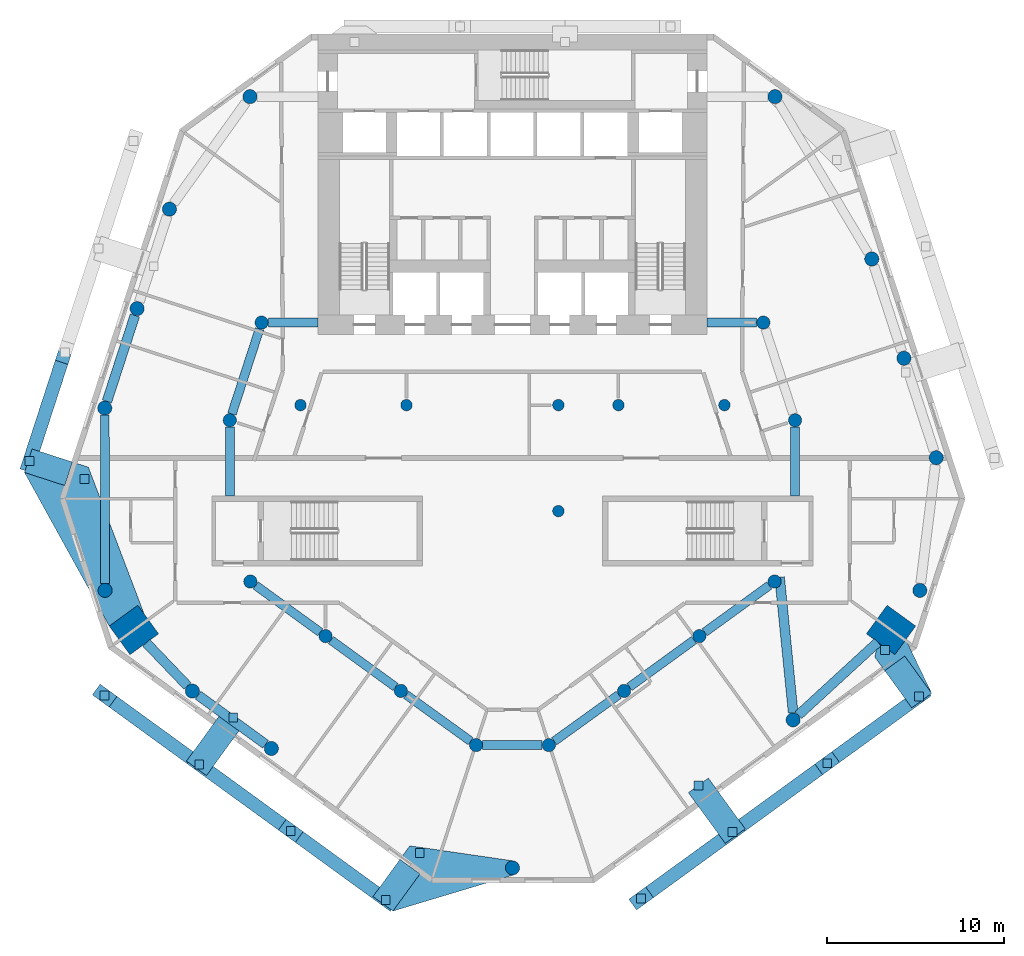
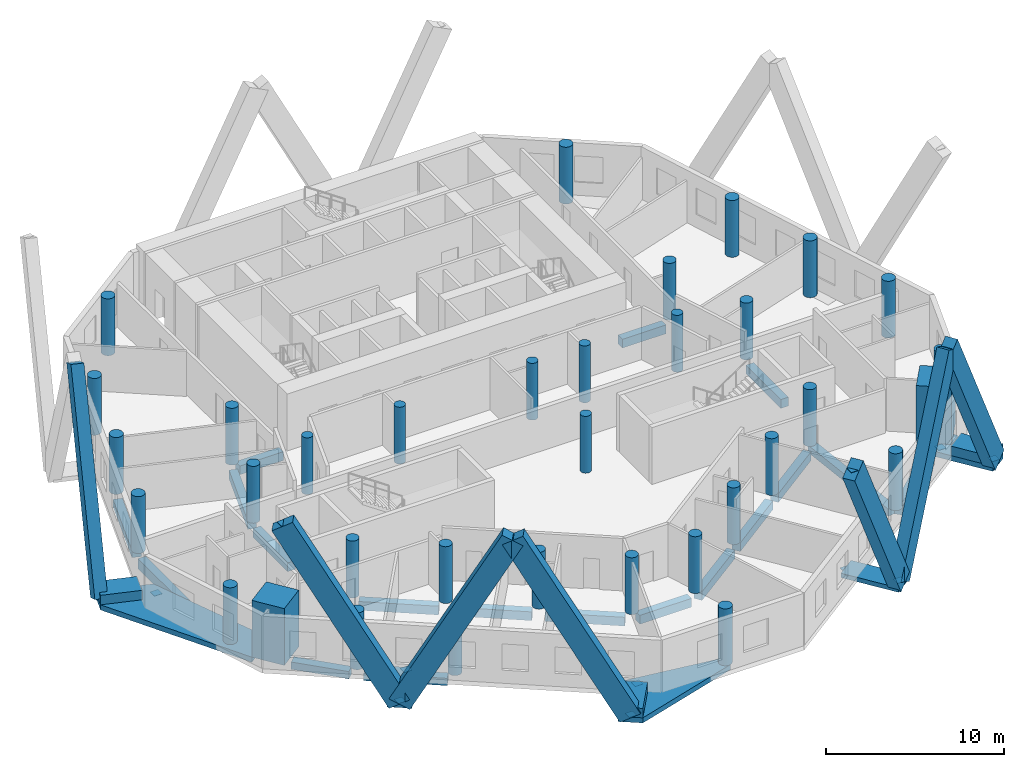
# One storey, part 1 of 10: 34 columns, 18 beams, 15 members, 14 discrete accessories.
"""IFC4 building model written with IfcOpenShell, lengths in metres."""

from ifc_helpers import new_model, si_unit, direction, frame, origin, origin_2d, place, context, subcontext, project, spatial, polyline, rectangle, circle, outline, extrude, material, layer, layer_set, material_profile, profile_set, type_object, element, aggregate, save


model = new_model("IFC4")

# Units and contexts
model_context = context("Model", 3, precision=1e-05, world=origin(), true_north=direction((0.0, 1.0)))
body_context = subcontext(model_context, "Body", "Model", "MODEL_VIEW")
ifc_project = project(units=[si_unit("LENGTHUNIT", "METRE"), si_unit("AREAUNIT", "SQUARE_METRE"), si_unit("VOLUMEUNIT", "CUBIC_METRE"), si_unit("PLANEANGLEUNIT", "RADIAN"), si_unit("MASSUNIT", "GRAM", prefix="KILO")], contexts=[model_context])

# Site, building, storey
site_placement = place(None, origin())
site = spatial("IfcSite", under=ifc_project, at=site_placement, CompositionType="ELEMENT")
building_placement = place(site_placement, origin())
building = spatial("IfcBuilding", under=site, at=building_placement, Name="White Candle Pilgrim Tower", CompositionType="ELEMENT")
storey_placement = place(building_placement, frame((0.0, 0.0, 125.89990234375)))
storey = spatial("IfcBuildingStorey", under=building, at=storey_placement, Name="L28", CompositionType="ELEMENT", Elevation=125.89990234375)

# Columns
ifc_material_1 = material(Name="Concrete C80/95", Category="concrete")
ifc_material_profile_1 = material_profile(ifc_material_1, circle(Radius=0.324951171875, at=origin_2d()), Name="RC-COL D650")
ifc_profile_set_1 = profile_set([ifc_material_profile_1], Name="Concrete C80/95")
column_type_1 = type_object("IfcColumnType", Name="Interior column RC-COL D650 C80/95", PredefinedType="COLUMN", material=ifc_profile_set_1)
for number, where, z_axis, x_axis, name in (
    (1, (58.0, 67.0, 0.0), (0.0, 0.0, 1.0), (1.0, 0.0, 0.0), "L28 column I01"),
    (2, (64.0, 67.0, 0.0), (0.0, 0.0, 1.0), (1.0, 0.0, 0.0), "L28 column I02"),
    (3, (72.60009765625, 61.0, 0.0), (0.0, 0.0, 1.0), (1.0, 0.0, 0.0), "L28 column I03"),
    (4, (72.60009765625, 67.0, 0.0), (0.0, 0.0, 1.0), (1.0, 0.0, 0.0), "L28 column I04"),
    (5, (76.0, 67.0, 0.0), (0.0, 0.0, 1.0), (1.0, 0.0, 0.0), "L28 column I05"),
    (6, (82.0, 67.0, 0.0), (0.0, 0.0, 1.0), (1.0, 0.0, 0.0), "L28 column I06"),
):
    element("IfcColumn", number, at=place(storey_placement, frame(where, z_axis=z_axis, x_axis=x_axis)), inside=storey, type_object=column_type_1, Name=name, PredefinedType="COLUMN", context=body_context, shape_type="SweptSolid", body=[
        extrude(circle(Radius=0.324951171875, at=origin_2d()), origin(), (0.0, 0.0, 1.0), 3.900146484375),
    ])
ifc_material_profile_2 = material_profile(ifc_material_1, rectangle(XDim=2.0, YDim=2.0, at=origin_2d()), Name="RC 2000x2000")
ifc_profile_set_2 = profile_set([ifc_material_profile_2], Name="Concrete C80/95")
column_type_2 = type_object("IfcColumnType", Name="Mega column RC 2000x2000 C80/95", PredefinedType="COLUMN", material=ifc_profile_set_2)
for number, where, z_axis, x_axis, name in (
    (7, (48.570068359375, 54.27001953125, 0.0), (0.0, 0.0, 1.0), (-0.809016994375, -0.587785252292, 0.0), "L28 mega column T02"),
    (8, (91.429931640625, 54.27001953125, 0.0), (0.0, 0.0, 1.0), (0.809016994375, -0.587785252292, 0.0), "L28 mega column T07"),
):
    element("IfcColumn", number, at=place(storey_placement, frame(where, z_axis=z_axis, x_axis=x_axis)), inside=storey, type_object=column_type_2, Name=name, PredefinedType="COLUMN", context=body_context, shape_type="SweptSolid", body=[
        extrude(rectangle(XDim=2.0, YDim=2.0, at=origin_2d()), origin(), (0.0, 0.0, 1.0), 3.900146484375),
    ])
ifc_material_profile_3 = material_profile(ifc_material_1, circle(Radius=0.39990234375, at=origin_2d()), Name="RC-COL D800")
ifc_profile_set_3 = profile_set([ifc_material_profile_3], Name="Concrete C80/95")
column_type_3 = type_object("IfcColumnType", Name="Perimeter column RC-COL D800 C80/95", PredefinedType="COLUMN", material=ifc_profile_set_3)
for number, where, z_axis, x_axis, name in (
    (9, (46.93994140625, 56.510009765625, 0.0), (0.0, 0.0, 1.0), (1.0, 0.0, 0.0), "L28 column T01"),
    (10, (51.8798828125, 50.81005859375, 0.0), (0.0, 0.0, 1.0), (1.0, 0.0, 0.0), "L28 column T03"),
    (11, (56.35009765625, 47.56005859375, 0.0), (0.0, 0.0, 1.0), (1.0, 0.0, 0.0), "L28 column T04"),
    (12, (70.0, 40.800048828125, 0.0), (0.0, 0.0, 1.0), (1.0, 0.0, 0.0), "L28 column T05"),
    (13, (85.889892578125, 49.179931640625, 0.0), (0.0, 0.0, 1.0), (1.0, 0.0, 0.0), "L28 column T06"),
    (14, (93.06005859375, 56.510009765625, 0.0), (0.0, 0.0, 1.0), (1.0, 0.0, 0.0), "L28 column T08"),
    (15, (93.989990234375, 64.02001953125, 0.0), (0.0, 0.0, 1.0), (1.0, 0.0, 0.0), "L28 column T09"),
    (16, (92.159912109375, 69.64990234375, 0.0), (0.0, 0.0, 1.0), (1.0, 0.0, 0.0), "L28 column T10"),
    (17, (90.340087890625, 75.27001953125, 0.0), (0.0, 0.0, 1.0), (1.0, 0.0, 0.0), "L28 column T11"),
    (18, (84.860107421875, 84.4599609375, 0.0), (0.0, 0.0, 1.0), (1.0, 0.0, 0.0), "L28 column T12"),
    (19, (55.139892578125, 84.4599609375, 0.0), (0.0, 0.0, 1.0), (1.0, 0.0, 0.0), "L28 column T13"),
    (20, (50.580078125, 78.090087890625, 0.0), (0.0, 0.0, 1.0), (1.0, 0.0, 0.0), "L28 column T14"),
    (21, (48.75, 72.4599609375, 0.0), (0.0, 0.0, 1.0), (1.0, 0.0, 0.0), "L28 column T15"),
    (22, (46.919921875, 66.830078125, 0.0), (0.0, 0.0, 1.0), (1.0, 0.0, 0.0), "L28 column T16"),
):
    element("IfcColumn", number, at=place(storey_placement, frame(where, z_axis=z_axis, x_axis=x_axis)), inside=storey, type_object=column_type_3, Name=name, PredefinedType="COLUMN", context=body_context, shape_type="SweptSolid", body=[
        extrude(circle(Radius=0.39990234375, at=origin_2d()), origin(), (0.0, 0.0, 1.0), 3.900146484375),
    ])
ifc_material_profile_4 = material_profile(ifc_material_1, circle(Radius=0.375, at=origin_2d()), Name="RC-COL D750")
ifc_profile_set_4 = profile_set([ifc_material_profile_4], Name="Concrete C80/95")
column_type_4 = type_object("IfcColumnType", Name="Ring column RC-COL D750 C80/95", PredefinedType="COLUMN", material=ifc_profile_set_4)
for number, where, z_axis, x_axis, name in (
    (23, (55.159912109375, 57.010009765625, 0.0), (0.0, 0.0, 1.0), (1.0, 0.0, 0.0), "L28 column R01"),
    (24, (59.419921875, 53.919921875, 0.0), (0.0, 0.0, 1.0), (1.0, 0.0, 0.0), "L28 column R02"),
    (25, (63.679931640625, 50.820068359375, 0.0), (0.0, 0.0, 1.0), (1.0, 0.0, 0.0), "L28 column R03"),
    (26, (67.93994140625, 47.75, 0.0), (0.0, 0.0, 1.0), (1.0, 0.0, 0.0), "L28 column R04"),
    (27, (72.06005859375, 47.75, 0.0), (0.0, 0.0, 1.0), (1.0, 0.0, 0.0), "L28 column R05"),
    (28, (76.320068359375, 50.820068359375, 0.0), (0.0, 0.0, 1.0), (1.0, 0.0, 0.0), "L28 column R06"),
    (29, (80.580078125, 53.919921875, 0.0), (0.0, 0.0, 1.0), (1.0, 0.0, 0.0), "L28 column R07"),
    (30, (84.840087890625, 57.010009765625, 0.0), (0.0, 0.0, 1.0), (1.0, 0.0, 0.0), "L28 column R08"),
    (31, (86.0, 66.139892578125, 0.0), (0.0, 0.0, 1.0), (1.0, 0.0, 0.0), "L28 column R09"),
    (32, (84.199951171875, 71.669921875, 0.0), (0.0, 0.0, 1.0), (1.0, 0.0, 0.0), "L28 column R10"),
    (33, (55.800048828125, 71.669921875, 0.0), (0.0, 0.0, 1.0), (1.0, 0.0, 0.0), "L28 column R11"),
    (34, (54.0, 66.139892578125, 0.0), (0.0, 0.0, 1.0), (1.0, 0.0, 0.0), "L28 column R12"),
):
    element("IfcColumn", number, at=place(storey_placement, frame(where, z_axis=z_axis, x_axis=x_axis)), inside=storey, type_object=column_type_4, Name=name, PredefinedType="COLUMN", context=body_context, shape_type="SweptSolid", body=[
        extrude(circle(Radius=0.375, at=origin_2d()), origin(), (0.0, 0.0, 1.0), 3.900146484375),
    ])

# Member
ifc_material_2 = material(Name="Concrete C80/95, white", Category="concrete")
ifc_material_profile_5 = material_profile(ifc_material_2, rectangle(XDim=0.75, YDim=1.35009765625, at=origin_2d()), Name="RC-DG 750x1350")
ifc_profile_set_5 = profile_set([ifc_material_profile_5], Name="Concrete C80/95, white")
member_type_1 = type_object("IfcMemberType", Name="Exoskeleton diagonal RC-DG 750x1350 C80/95", PredefinedType="BRACE", material=ifc_profile_set_5)
member_1_placement = place(storey_placement, frame((82.44970703125, 42.8232421875, 0.0), z_axis=(-0.38756819782, -0.281591373974, 0.877779693398), x_axis=(0.587794263522, -0.809010447257, 0.0)))
member_1 = element("IfcMember", 35, at=member_1_placement, inside=storey, type_object=member_type_1, Name="Exoskeleton diagonal EX094", PredefinedType="BRACE", context=body_context, shape_type="SweptSolid", body=[
    extrude(rectangle(XDim=0.75, YDim=1.35009765625, at=origin_2d()), origin(), (0.0, 0.0, 1.0), 13.329345703125),
])

member_2_placement = place(storey_placement, frame((82.44970703125, 42.8232421875, 0.0), z_axis=(0.399191707604, 0.290042404147, 0.869782377596), x_axis=(-0.587802033842, 0.809004801599, 0.0)))
member_2 = element("IfcMember", 36, at=member_2_placement, inside=storey, type_object=member_type_1, Name="Exoskeleton diagonal EX095", PredefinedType="BRACE", context=body_context, shape_type="SweptSolid", body=[
    extrude(rectangle(XDim=0.75, YDim=1.35009765625, at=origin_2d()), origin(), (0.0, 0.0, 1.0), 13.451904296875),
])

member_3_placement = place(storey_placement, frame((93.00732421875, 50.493896484375, 0.0), z_axis=(-0.388823725014, -0.282491442739, 0.87693482976), x_axis=(0.587777722186, -0.809022465264, 0.0)))
member_3 = element("IfcMember", 37, at=member_3_placement, inside=storey, type_object=member_type_1, Name="Exoskeleton diagonal EX096", PredefinedType="BRACE", context=body_context, shape_type="SweptSolid", body=[
    extrude(rectangle(XDim=0.75, YDim=1.35009765625, at=origin_2d()), origin(), (0.0, 0.0, 1.0), 13.342041015625),
])

member_4_placement = place(storey_placement, frame((52.271484375, 46.658447265625, 0.0), z_axis=(-0.398587199151, 0.289602625815, 0.870206046746), x_axis=(-0.587801292494, -0.809005340243, 0.0)))
member_4 = element("IfcMember", 38, at=member_4_placement, inside=storey, type_object=member_type_1, Name="Exoskeleton diagonal EX106", PredefinedType="BRACE", context=body_context, shape_type="SweptSolid", body=[
    extrude(rectangle(XDim=0.75, YDim=1.35009765625, at=origin_2d()), origin(), (0.0, 0.0, 1.0), 13.4453125),
])

member_5_placement = place(storey_placement, frame((52.271484375, 46.658447265625, 0.0), z_axis=(0.388188639859, -0.282042736543, 0.877360515779), x_axis=(0.587795047126, 0.809009877921, 0.0)))
member_5 = element("IfcMember", 39, at=member_5_placement, inside=storey, type_object=member_type_1, Name="Exoskeleton diagonal EX107", PredefinedType="BRACE", context=body_context, shape_type="SweptSolid", body=[
    extrude(rectangle(XDim=0.75, YDim=1.35009765625, at=origin_2d()), origin(), (0.0, 0.0, 1.0), 13.335693359375),
])

member_6_placement = place(storey_placement, frame((62.829345703125, 38.98779296875, 0.0), z_axis=(-0.399825814046, 0.290477326815, 0.869345869622), x_axis=(-0.587767862025, -0.809029628858, 0.0)))
member_6 = element("IfcMember", 40, at=member_6_placement, inside=storey, type_object=member_type_1, Name="Exoskeleton diagonal EX108", PredefinedType="BRACE", context=body_context, shape_type="SweptSolid", body=[
    extrude(rectangle(XDim=0.75, YDim=1.35009765625, at=origin_2d()), origin(), (0.0, 0.0, 1.0), 13.458740234375),
])

member_7_placement = place(storey_placement, frame((42.659912109375, 63.828857421875, 0.0), z_axis=(0.149564067043, 0.460305282151, 0.875071218287), x_axis=(-0.951055414426, 0.309020385559, 0.0)))
member_7 = element("IfcMember", 41, at=member_7_placement, inside=storey, type_object=member_type_1, Name="Exoskeleton diagonal EX120", PredefinedType="BRACE", context=body_context, shape_type="SweptSolid", body=[
    extrude(rectangle(XDim=0.75, YDim=1.35009765625, at=origin_2d()), origin(), (0.0, 0.0, 1.0), 13.37060546875),
])

ifc_material_3 = material(Name="Concrete C70/85, white", Category="concrete")
ifc_layer_1 = layer(ifc_material_3, 0.300048828125)
ifc_layer_set_1 = layer_set([ifc_layer_1], Name="Node tie strut 3350x1400x300 C70/85")
member_type_2 = type_object("IfcMemberType", Name="Node tie strut 3350x1400x300 C70/85", PredefinedType="STRUT", material=ifc_layer_set_1)
member_8_placement = place(storey_placement, frame((0.0, 0.0, -0.349853515625)))
member_8 = element("IfcMember", 42, at=member_8_placement, inside=storey, type_object=member_type_2, Name="Node tie strut NC090", PredefinedType="STRUT", context=body_context, shape_type="SweptSolid", body=[
    extrude(outline(polyline([(47.173095703125, 54.4912109375), (48.791259765625, 55.666748046875), (49.1474609375, 55.176513671875), (45.99072265625, 63.482421875), (42.8046875, 64.517578125), (42.372314453125, 63.186279296875), (47.173095703125, 54.4912109375)])), origin(), (0.0, 0.0, 1.0), 0.349853515625),
])

member_9_placement = place(storey_placement, origin())
element("IfcMember", 43, at=member_9_placement, inside=storey, type_object=member_type_2, Name="Node tie strut NC090", PredefinedType="STRUT", context=body_context, shape_type="SweptSolid", body=[
    extrude(outline(polyline([(44.65478515625, 62.444580078125), (45.08740234375, 63.77587890625), (42.8046875, 64.517578125), (42.372314453125, 63.186279296875), (44.65478515625, 62.444580078125)])), origin(), (0.0, 0.0, 1.0), 0.650146484375),
])

ifc_layer_2 = layer(ifc_material_3, 0.300048828125)
ifc_layer_set_2 = layer_set([ifc_layer_2], Name="Node tie strut 3550x1400x300 C70/85")
member_type_3 = type_object("IfcMemberType", Name="Node tie strut 3550x1400x300 C70/85", PredefinedType="STRUT", material=ifc_layer_set_2)
member_10_placement = place(storey_placement, frame((81.56787109375, 44.03662109375, -0.2998046875), z_axis=(0.0, 0.0, 1.0), x_axis=(0.809016994375, 0.587785252292, 0.0)))
member_10 = element("IfcMember", 44, at=member_10_placement, inside=storey, type_object=member_type_3, Name="Node tie strut NC085", PredefinedType="STRUT", context=body_context, shape_type="SweptSolid", body=[
    extrude(rectangle(XDim=1.39990234375, YDim=3.550048828125, at=origin_2d()), origin(), (0.0, 0.0, 1.0), 0.300048828125),
])

member_11_placement = place(storey_placement, frame((0.0, 0.0, -0.349853515625)))
member_11 = element("IfcMember", 45, at=member_11_placement, inside=storey, type_object=member_type_3, Name="Node tie strut NC086", PredefinedType="STRUT", context=body_context, shape_type="SweptSolid", body=[
    extrude(outline(polyline([(92.602783203125, 49.85986328125), (93.7353515625, 50.682861328125), (92.268310546875, 53.72265625), (91.651123046875, 52.873291015625), (90.67041015625, 53.585693359375), (90.51611328125, 52.73193359375), (92.602783203125, 49.85986328125)])), origin(), (0.0, 0.0, 1.0), 0.349853515625),
])

member_12_placement = place(storey_placement, origin())
element("IfcMember", 46, at=member_12_placement, inside=storey, type_object=member_type_3, Name="Node tie strut NC086", PredefinedType="STRUT", context=body_context, shape_type="SweptSolid", body=[
    extrude(outline(polyline([(92.602783203125, 49.85986328125), (93.7353515625, 50.682861328125), (92.20703125, 52.786376953125), (91.074462890625, 51.96337890625), (92.602783203125, 49.85986328125)])), origin(), (0.0, 0.0, 1.0), 0.650146484375),
])

member_13_placement = place(storey_placement, frame((53.1533203125, 47.8720703125, -0.2998046875), z_axis=(0.0, 0.0, 1.0), x_axis=(0.809016994375, -0.587785252292, 0.0)))
member_13 = element("IfcMember", 47, at=member_13_placement, inside=storey, type_object=member_type_3, Name="Node tie strut NC087", PredefinedType="STRUT", context=body_context, shape_type="SweptSolid", body=[
    extrude(rectangle(XDim=1.39990234375, YDim=3.550048828125, at=origin_2d()), origin(), (0.0, 0.0, 1.0), 0.300048828125),
])

member_14_placement = place(storey_placement, frame((0.0, 0.0, -0.349853515625)))
member_14 = element("IfcMember", 48, at=member_14_placement, inside=storey, type_object=member_type_3, Name="Node tie strut NC088", PredefinedType="STRUT", context=body_context, shape_type="SweptSolid", body=[
    extrude(outline(polyline([(63.23388671875, 38.35400390625), (70.103515625, 40.41357421875), (70.077880859375, 40.40771484375), (70.05224609375, 40.4033203125), (70.026123046875, 40.40087890625), (70.0, 40.39990234375), (69.973876953125, 40.40087890625), (69.94775390625, 40.4033203125), (69.922119140625, 40.40771484375), (69.896484375, 40.41357421875), (69.871337890625, 40.421142578125), (69.846923828125, 40.430419921875), (69.822998046875, 40.44140625), (69.800048828125, 40.45361328125), (69.77783203125, 40.46728515625), (69.756591796875, 40.482666015625), (69.736328125, 40.499267578125), (69.71728515625, 40.51708984375), (69.69921875, 40.536376953125), (69.6826171875, 40.556396484375), (69.66748046875, 40.577880859375), (69.653564453125, 40.60009765625), (69.641357421875, 40.623046875), (69.63037109375, 40.64697265625), (69.62109375, 40.67138671875), (69.613525390625, 40.696533203125), (69.607666015625, 40.721923828125), (69.603515625, 40.747802734375), (69.600830078125, 40.773681640625), (69.60009765625, 40.800048828125), (69.600830078125, 40.826171875), (69.603515625, 40.852294921875), (69.607666015625, 40.8779296875), (69.613525390625, 40.903564453125), (69.62109375, 40.9287109375), (69.63037109375, 40.953125), (69.641357421875, 40.976806640625), (69.653564453125, 41.0), (69.66748046875, 41.022216796875), (69.6826171875, 41.04345703125), (69.69921875, 41.063720703125), (69.71728515625, 41.082763671875), (69.736328125, 41.1005859375), (69.756591796875, 41.1171875), (69.77783203125, 41.132568359375), (69.800048828125, 41.146484375), (69.822998046875, 41.15869140625), (69.846923828125, 41.169677734375), (69.871337890625, 41.1787109375), (69.896484375, 41.186279296875), (69.922119140625, 41.1923828125), (69.94775390625, 41.196533203125), (69.973876953125, 41.19921875), (70.0, 41.199951171875), (70.026123046875, 41.19921875), (70.05224609375, 41.196533203125), (64.18798828125, 42.048828125), (62.101318359375, 39.1767578125), (63.23388671875, 38.35400390625)])), origin(), (0.0, 0.0, 1.0), 0.349853515625),
])

member_15_placement = place(storey_placement, origin())
element("IfcMember", 49, at=member_15_placement, inside=storey, type_object=member_type_3, Name="Node tie strut NC088", PredefinedType="STRUT", context=body_context, shape_type="SweptSolid", body=[
    extrude(outline(polyline([(63.23388671875, 38.35400390625), (64.76220703125, 40.45751953125), (63.629638671875, 41.2802734375), (62.101318359375, 39.1767578125), (63.23388671875, 38.35400390625)])), origin(), (0.0, 0.0, 1.0), 0.650146484375),
])

# Beams
ifc_material_4 = material(Name="Concrete C50/60", Category="concrete")
ifc_material_profile_6 = material_profile(ifc_material_4, rectangle(XDim=0.5, YDim=0.60009765625, at=origin_2d()), Name="RC-BM 500x600")
ifc_profile_set_6 = profile_set([ifc_material_profile_6], Name="Concrete C50/60")
beam_type_1 = type_object("IfcBeamType", Name="Ring beam RC-BM 500x600 C50/60", PredefinedType="BEAM", material=ifc_profile_set_6)
beam_1_placement = place(storey_placement, frame((55.46337890625, 56.789794921875, -0.599853515625), z_axis=(0.809505029053, -0.587112943084, 0.0), x_axis=(0.587112943084, 0.809505029053, 0.0)))
element("IfcBeam", 50, at=beam_1_placement, inside=storey, type_object=beam_type_1, Name="L28 ring beam R01", PredefinedType="BEAM", context=body_context, shape_type="SweptSolid", body=[
    extrude(rectangle(XDim=0.5, YDim=0.60009765625, at=origin_2d()), origin(), (0.0, 0.0, 1.0), 4.512939453125),
])
beam_2_placement = place(storey_placement, frame((59.72314453125, 53.699462890625, -0.599853515625), z_axis=(0.808565500751, -0.588406178583, 0.0), x_axis=(0.588406178583, 0.808565500751, 0.0)))
element("IfcBeam", 51, at=beam_2_placement, inside=storey, type_object=beam_type_1, Name="L28 ring beam R02", PredefinedType="BEAM", context=body_context, shape_type="SweptSolid", body=[
    extrude(rectangle(XDim=0.5, YDim=0.60009765625, at=origin_2d()), origin(), (0.0, 0.0, 1.0), 4.518798828125),
])
beam_3_placement = place(storey_placement, frame((63.984130859375, 50.600830078125, -0.599853515625), z_axis=(0.811270905805, -0.584670434856, 0.0), x_axis=(0.584670434856, 0.811270905805, 0.0)))
element("IfcBeam", 52, at=beam_3_placement, inside=storey, type_object=beam_type_1, Name="L28 ring beam R03", PredefinedType="BEAM", context=body_context, shape_type="SweptSolid", body=[
    extrude(rectangle(XDim=0.5, YDim=0.60009765625, at=origin_2d()), origin(), (0.0, 0.0, 1.0), 4.50146484375),
])
beam_4_placement = place(storey_placement, frame((68.31494140625, 47.75, -0.599853515625), z_axis=(1.0, 0.0, 0.0), x_axis=(0.0, 1.0, 0.0)))
element("IfcBeam", 53, at=beam_4_placement, inside=storey, type_object=beam_type_1, Name="L28 ring beam R04", PredefinedType="BEAM", context=body_context, shape_type="SweptSolid", body=[
    extrude(rectangle(XDim=0.5, YDim=0.60009765625, at=origin_2d()), origin(), (0.0, 0.0, 1.0), 3.3701171875),
])
beam_5_placement = place(storey_placement, frame((72.364013671875, 47.968994140625, -0.599853515625), z_axis=(0.811270905805, 0.584670434856, 0.0), x_axis=(-0.584670434856, 0.811270905805, 0.0)))
element("IfcBeam", 54, at=beam_5_placement, inside=storey, type_object=beam_type_1, Name="L28 ring beam R05", PredefinedType="BEAM", context=body_context, shape_type="SweptSolid", body=[
    extrude(rectangle(XDim=0.5, YDim=0.60009765625, at=origin_2d()), origin(), (0.0, 0.0, 1.0), 4.50146484375),
])
beam_6_placement = place(storey_placement, frame((76.623046875, 51.04052734375, -0.599853515625), z_axis=(0.808565500751, 0.588406178583, 0.0), x_axis=(-0.588406178583, 0.808565500751, 0.0)))
element("IfcBeam", 55, at=beam_6_placement, inside=storey, type_object=beam_type_1, Name="L28 ring beam R06", PredefinedType="BEAM", context=body_context, shape_type="SweptSolid", body=[
    extrude(rectangle(XDim=0.5, YDim=0.60009765625, at=origin_2d()), origin(), (0.0, 0.0, 1.0), 4.518798828125),
])
beam_7_placement = place(storey_placement, frame((80.88330078125, 54.14013671875, -0.599853515625), z_axis=(0.809505029053, 0.587112943084, 0.0), x_axis=(-0.587112943084, 0.809505029053, 0.0)))
element("IfcBeam", 56, at=beam_7_placement, inside=storey, type_object=beam_type_1, Name="L28 ring beam R07", PredefinedType="BEAM", context=body_context, shape_type="SweptSolid", body=[
    extrude(rectangle(XDim=0.5, YDim=0.60009765625, at=origin_2d()), origin(), (0.0, 0.0, 1.0), 4.512939453125),
])
beam_8_placement = place(storey_placement, frame((86.0, 65.764892578125, -0.599853515625), z_axis=(0.0, -1.0, 0.0), x_axis=(1.0, 0.0, 0.0)))
element("IfcBeam", 57, at=beam_8_placement, inside=storey, type_object=beam_type_1, Name="L28 ring beam R08", PredefinedType="BEAM", context=body_context, shape_type="SweptSolid", body=[
    extrude(rectangle(XDim=0.5, YDim=0.60009765625, at=origin_2d()), origin(), (0.0, 0.0, 1.0), 3.914794921875),
])
for number, where, z_axis, x_axis, name in (
    (58, (83.824951171875, 71.669921875, -0.599853515625), (-1.0, 0.0, 0.0), (0.0, -1.0, 0.0), "L28 ring beam R10"),
    (59, (56.175048828125, 71.669921875, -0.599853515625), (1.0, 0.0, 0.0), (0.0, 1.0, 0.0), "L28 ring beam R11"),
):
    element("IfcBeam", number, at=place(storey_placement, frame(where, z_axis=z_axis, x_axis=x_axis)), inside=storey, type_object=beam_type_1, Name=name, PredefinedType="BEAM", context=body_context, shape_type="SweptSolid", body=[
        extrude(rectangle(XDim=0.5, YDim=0.60009765625, at=origin_2d()), origin(), (0.0, 0.0, 1.0), 2.824951171875),
    ])
beam_9_placement = place(storey_placement, frame((55.68408203125, 71.3134765625, -0.599853515625), z_axis=(-0.309554632353, -0.950881659087, 0.0), x_axis=(0.950881659087, -0.309554632353, 0.0)))
element("IfcBeam", 60, at=beam_9_placement, inside=storey, type_object=beam_type_1, Name="L28 ring beam R12", PredefinedType="BEAM", context=body_context, shape_type="SweptSolid", body=[
    extrude(rectangle(XDim=0.5, YDim=0.60009765625, at=origin_2d()), origin(), (0.0, 0.0, 1.0), 5.065673828125),
])
beam_10_placement = place(storey_placement, frame((54.0, 65.764892578125, -0.599853515625), z_axis=(0.0, -1.0, 0.0), x_axis=(1.0, 0.0, 0.0)))
element("IfcBeam", 61, at=beam_10_placement, inside=storey, type_object=beam_type_1, Name="L28 ring beam R13", PredefinedType="BEAM", context=body_context, shape_type="SweptSolid", body=[
    extrude(rectangle(XDim=0.5, YDim=0.60009765625, at=origin_2d()), origin(), (0.0, 0.0, 1.0), 3.914794921875),
])
ifc_material_profile_7 = material_profile(ifc_material_4, rectangle(XDim=0.5, YDim=0.699951171875, at=origin_2d()), Name="RC-BM 500x700")
ifc_profile_set_7 = profile_set([ifc_material_profile_7], Name="Concrete C50/60")
beam_type_2 = type_object("IfcBeamType", Name="Spandrel beam RC-BM 500x700 C50/60", PredefinedType="BEAM", material=ifc_profile_set_7)
beam_11_placement = place(storey_placement, frame((46.9208984375, 66.429931640625, -0.64990234375), z_axis=(0.001923369269, -0.999998150324, 0.0), x_axis=(0.999998150324, 0.001923369269, 0.0)))
element("IfcBeam", 62, at=beam_11_placement, inside=storey, type_object=beam_type_2, Name="L28 spandrel beam T14", PredefinedType="BEAM", context=body_context, shape_type="SweptSolid", body=[
    extrude(rectangle(XDim=0.5, YDim=0.699951171875, at=origin_2d()), origin(), (0.0, 0.0, 1.0), 9.52001953125),
])
ifc_material_profile_8 = material_profile(ifc_material_4, rectangle(XDim=0.550048828125, YDim=0.5, at=origin_2d()), Name="RC-BM 550x500")
ifc_profile_set_8 = profile_set([ifc_material_profile_8], Name="Concrete C50/60")
beam_type_3 = type_object("IfcBeamType", Name="Spandrel beam RC-BM 550x500 C50/60", PredefinedType="BEAM", material=ifc_profile_set_8)
beam_12_placement = place(storey_placement, frame((49.267578125, 53.540771484375, -0.5498046875), z_axis=(0.6912554522, -0.722610475847, 0.0), x_axis=(0.722610475847, 0.6912554522, 0.0)))
element("IfcBeam", 63, at=beam_12_placement, inside=storey, type_object=beam_type_3, Name="L28 spandrel beam T01", PredefinedType="BEAM", context=body_context, shape_type="SweptSolid", body=[
    extrude(rectangle(XDim=0.550048828125, YDim=0.5, at=origin_2d()), origin(), (0.0, 0.0, 1.0), 3.379150390625),
])
beam_13_placement = place(storey_placement, frame((52.203369140625, 50.574951171875, -0.5498046875), z_axis=(0.808812014489, -0.5880672795, 0.0), x_axis=(0.5880672795, 0.808812014489, 0.0)))
element("IfcBeam", 64, at=beam_13_placement, inside=storey, type_object=beam_type_3, Name="L28 spandrel beam T02", PredefinedType="BEAM", context=body_context, shape_type="SweptSolid", body=[
    extrude(rectangle(XDim=0.550048828125, YDim=0.5, at=origin_2d()), origin(), (0.0, 0.0, 1.0), 4.72705078125),
])
beam_14_placement = place(storey_placement, frame((85.889892578125, 49.580078125, -0.5498046875), z_axis=(-0.099547579937, 0.995032803142, 0.0), x_axis=(-0.995032803142, -0.099547579937, 0.0)))
element("IfcBeam", 65, at=beam_14_placement, inside=storey, type_object=beam_type_3, Name="L28 spandrel beam T03", PredefinedType="BEAM", context=body_context, shape_type="SweptSolid", body=[
    extrude(rectangle(XDim=0.550048828125, YDim=0.5, at=origin_2d()), origin(), (0.0, 0.0, 1.0), 7.715576171875),
])
beam_15_placement = place(storey_placement, frame((86.184326171875, 49.450439453125, -0.5498046875), z_axis=(0.736374917929, 0.67657370644, 0.0), x_axis=(-0.67657370644, 0.736374917929, 0.0)))
element("IfcBeam", 66, at=beam_15_placement, inside=storey, type_object=beam_type_3, Name="L28 spandrel beam T04", PredefinedType="BEAM", context=body_context, shape_type="SweptSolid", body=[
    extrude(rectangle(XDim=0.550048828125, YDim=0.5, at=origin_2d()), origin(), (0.0, 0.0, 1.0), 6.103271484375),
])
beam_16_placement = place(storey_placement, frame((48.62646484375, 72.07958984375, -0.5498046875), z_axis=(-0.309123808161, -0.95102180376, 0.0), x_axis=(0.95102180376, -0.309123808161, 0.0)))
element("IfcBeam", 67, at=beam_16_placement, inside=storey, type_object=beam_type_3, Name="L28 spandrel beam T13", PredefinedType="BEAM", context=body_context, shape_type="SweptSolid", body=[
    extrude(rectangle(XDim=0.550048828125, YDim=0.5, at=origin_2d()), origin(), (0.0, 0.0, 1.0), 5.1201171875),
])

# Discrete accessory
ifc_material_5 = material(Name="Steel S355", Category="steel")
ifc_layer_3 = layer(ifc_material_5, 0.02490234375)
ifc_layer_set_3 = layer_set([ifc_layer_3], Name="Gusset plate 500x500x25 S355")
discrete_accessory_type = type_object("IfcDiscreteAccessoryType", Name="Gusset plate 500x500x25 S355", PredefinedType="BRACKET", material=ifc_layer_set_3)
discrete_accessory_1_placement = place(storey_placement, frame((82.44970703125, 42.8232421875, -0.012451171875), z_axis=(0.0, 0.0, 1.0), x_axis=(1.0, 0.0, 0.0)))
discrete_accessory_1 = element("IfcDiscreteAccessory", 68, at=discrete_accessory_1_placement, type_object=discrete_accessory_type, Name="Gusset plate 0102", PredefinedType="BRACKET", context=body_context, shape_type="SweptSolid", body=[
    extrude(rectangle(XDim=0.5, YDim=0.5, at=origin_2d()), origin(), (0.0, 0.0, 1.0), 0.02490234375),
])

placement = place(building_placement, frame((0.0, 0.0, 137.60009765625)))
discrete_accessory_2_placement = place(placement, frame((77.28369140625, 39.06982421875, -0.012451171875), z_axis=(0.0, 0.0, 1.0), x_axis=(1.0, 0.0, 0.0)))
discrete_accessory_2 = element("IfcDiscreteAccessory", 69, at=discrete_accessory_2_placement, type_object=discrete_accessory_type, Name="Gusset plate 0103", PredefinedType="BRACKET", context=body_context, shape_type="SweptSolid", body=[
    extrude(rectangle(XDim=0.5, YDim=0.5, at=origin_2d()), origin(), (0.0, 0.0, 1.0), 0.02490234375),
])

aggregate(member_1, [discrete_accessory_1, discrete_accessory_2])

discrete_accessory_3_placement = place(placement, frame((87.819580078125, 46.724853515625, -0.012451171875), z_axis=(0.0, 0.0, 1.0), x_axis=(1.0, 0.0, 0.0)))
discrete_accessory_3 = element("IfcDiscreteAccessory", 70, at=discrete_accessory_3_placement, type_object=discrete_accessory_type, Name="Gusset plate 0104", PredefinedType="BRACKET", context=body_context, shape_type="SweptSolid", body=[
    extrude(rectangle(XDim=0.5, YDim=0.5, at=origin_2d()), origin(), (0.0, 0.0, 1.0), 0.02490234375),
])

aggregate(member_2, [discrete_accessory_3])

discrete_accessory_4_placement = place(storey_placement, frame((93.00732421875, 50.493896484375, -0.012451171875), z_axis=(0.0, 0.0, 1.0), x_axis=(1.0, 0.0, 0.0)))
discrete_accessory_4 = element("IfcDiscreteAccessory", 71, at=discrete_accessory_4_placement, type_object=discrete_accessory_type, Name="Gusset plate 0105", PredefinedType="BRACKET", context=body_context, shape_type="SweptSolid", body=[
    extrude(rectangle(XDim=0.5, YDim=0.5, at=origin_2d()), origin(), (0.0, 0.0, 1.0), 0.02490234375),
])

aggregate(member_3, [discrete_accessory_4])

discrete_accessory_5_placement = place(storey_placement, frame((52.271484375, 46.658447265625, -0.012451171875), z_axis=(0.0, 0.0, 1.0), x_axis=(1.0, 0.0, 0.0)))
discrete_accessory_5 = element("IfcDiscreteAccessory", 72, at=discrete_accessory_5_placement, type_object=discrete_accessory_type, Name="Gusset plate 0118", PredefinedType="BRACKET", context=body_context, shape_type="SweptSolid", body=[
    extrude(rectangle(XDim=0.5, YDim=0.5, at=origin_2d()), origin(), (0.0, 0.0, 1.0), 0.02490234375),
])

discrete_accessory_6_placement = place(placement, frame((46.912353515625, 50.55224609375, -0.012451171875), z_axis=(0.0, 0.0, 1.0), x_axis=(1.0, 0.0, 0.0)))
discrete_accessory_6 = element("IfcDiscreteAccessory", 73, at=discrete_accessory_6_placement, type_object=discrete_accessory_type, Name="Gusset plate 0119", PredefinedType="BRACKET", context=body_context, shape_type="SweptSolid", body=[
    extrude(rectangle(XDim=0.5, YDim=0.5, at=origin_2d()), origin(), (0.0, 0.0, 1.0), 0.02490234375),
])

aggregate(member_4, [discrete_accessory_5, discrete_accessory_6])

discrete_accessory_7_placement = place(placement, frame((57.4482421875, 42.897216796875, -0.012451171875), z_axis=(0.0, 0.0, 1.0), x_axis=(1.0, 0.0, 0.0)))
discrete_accessory_7 = element("IfcDiscreteAccessory", 74, at=discrete_accessory_7_placement, type_object=discrete_accessory_type, Name="Gusset plate 0120", PredefinedType="BRACKET", context=body_context, shape_type="SweptSolid", body=[
    extrude(rectangle(XDim=0.5, YDim=0.5, at=origin_2d()), origin(), (0.0, 0.0, 1.0), 0.02490234375),
])

aggregate(member_5, [discrete_accessory_7])

discrete_accessory_8_placement = place(storey_placement, frame((62.829345703125, 38.98779296875, -0.012451171875), z_axis=(0.0, 0.0, 1.0), x_axis=(1.0, 0.0, 0.0)))
discrete_accessory_8 = element("IfcDiscreteAccessory", 75, at=discrete_accessory_8_placement, type_object=discrete_accessory_type, Name="Gusset plate 0121", PredefinedType="BRACKET", context=body_context, shape_type="SweptSolid", body=[
    extrude(rectangle(XDim=0.5, YDim=0.5, at=origin_2d()), origin(), (0.0, 0.0, 1.0), 0.02490234375),
])

aggregate(member_6, [discrete_accessory_8])

discrete_accessory_9_placement = place(storey_placement, frame((42.659912109375, 63.828857421875, -0.012451171875), z_axis=(0.0, 0.0, 1.0), x_axis=(1.0, 0.0, 0.0)))
discrete_accessory_9 = element("IfcDiscreteAccessory", 76, at=discrete_accessory_9_placement, type_object=discrete_accessory_type, Name="Gusset plate 0135", PredefinedType="BRACKET", context=body_context, shape_type="SweptSolid", body=[
    extrude(rectangle(XDim=0.5, YDim=0.5, at=origin_2d()), origin(), (0.0, 0.0, 1.0), 0.02490234375),
])

aggregate(member_7, [discrete_accessory_9])

discrete_accessory_10_placement = place(storey_placement, frame((80.524658203125, 45.47265625, -0.162353515625), z_axis=(0.0, 0.0, 1.0), x_axis=(1.0, 0.0, 0.0)))
discrete_accessory_10 = element("IfcDiscreteAccessory", 77, at=discrete_accessory_10_placement, type_object=discrete_accessory_type, Name="Gusset plate 0466", PredefinedType="BRACKET", context=body_context, shape_type="SweptSolid", body=[
    extrude(rectangle(XDim=0.5, YDim=0.5, at=origin_2d()), origin(), (0.0, 0.0, 1.0), 0.02490234375),
])

aggregate(member_10, [discrete_accessory_10])

discrete_accessory_11_placement = place(storey_placement, frame((91.08251953125, 53.143310546875, -0.162353515625), z_axis=(0.0, 0.0, 1.0), x_axis=(1.0, 0.0, 0.0)))
discrete_accessory_11 = element("IfcDiscreteAccessory", 78, at=discrete_accessory_11_placement, type_object=discrete_accessory_type, Name="Gusset plate 0467", PredefinedType="BRACKET", context=body_context, shape_type="SweptSolid", body=[
    extrude(rectangle(XDim=0.5, YDim=0.5, at=origin_2d()), origin(), (0.0, 0.0, 1.0), 0.02490234375),
])

aggregate(member_11, [discrete_accessory_11])

discrete_accessory_12_placement = place(storey_placement, frame((54.196533203125, 49.30810546875, -0.162353515625), z_axis=(0.0, 0.0, 1.0), x_axis=(1.0, 0.0, 0.0)))
discrete_accessory_12 = element("IfcDiscreteAccessory", 79, at=discrete_accessory_12_placement, type_object=discrete_accessory_type, Name="Gusset plate 0468", PredefinedType="BRACKET", context=body_context, shape_type="SweptSolid", body=[
    extrude(rectangle(XDim=0.5, YDim=0.5, at=origin_2d()), origin(), (0.0, 0.0, 1.0), 0.02490234375),
])

aggregate(member_13, [discrete_accessory_12])

discrete_accessory_13_placement = place(storey_placement, frame((64.75439453125, 41.637451171875, -0.162353515625), z_axis=(0.0, 0.0, 1.0), x_axis=(1.0, 0.0, 0.0)))
discrete_accessory_13 = element("IfcDiscreteAccessory", 80, at=discrete_accessory_13_placement, type_object=discrete_accessory_type, Name="Gusset plate 0469", PredefinedType="BRACKET", context=body_context, shape_type="SweptSolid", body=[
    extrude(rectangle(XDim=0.5, YDim=0.5, at=origin_2d()), origin(), (0.0, 0.0, 1.0), 0.02490234375),
])

aggregate(member_14, [discrete_accessory_13])

discrete_accessory_14_placement = place(storey_placement, frame((45.7744140625, 62.816650390625, -0.162353515625), z_axis=(0.0, 0.0, 1.0), x_axis=(1.0, 0.0, 0.0)))
discrete_accessory_14 = element("IfcDiscreteAccessory", 81, at=discrete_accessory_14_placement, type_object=discrete_accessory_type, Name="Gusset plate 0471", PredefinedType="BRACKET", context=body_context, shape_type="SweptSolid", body=[
    extrude(rectangle(XDim=0.5, YDim=0.5, at=origin_2d()), origin(), (0.0, 0.0, 1.0), 0.02490234375),
])

aggregate(member_8, [discrete_accessory_14])

save(model, "model.ifc")
